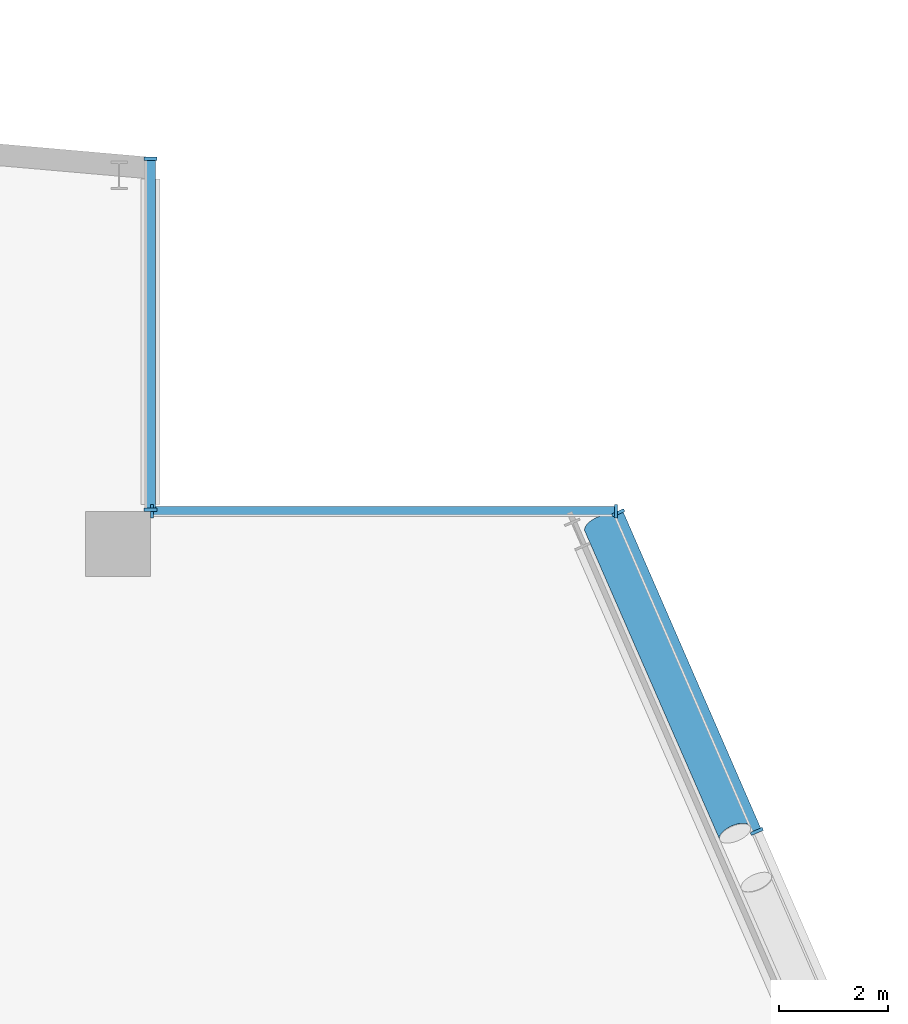
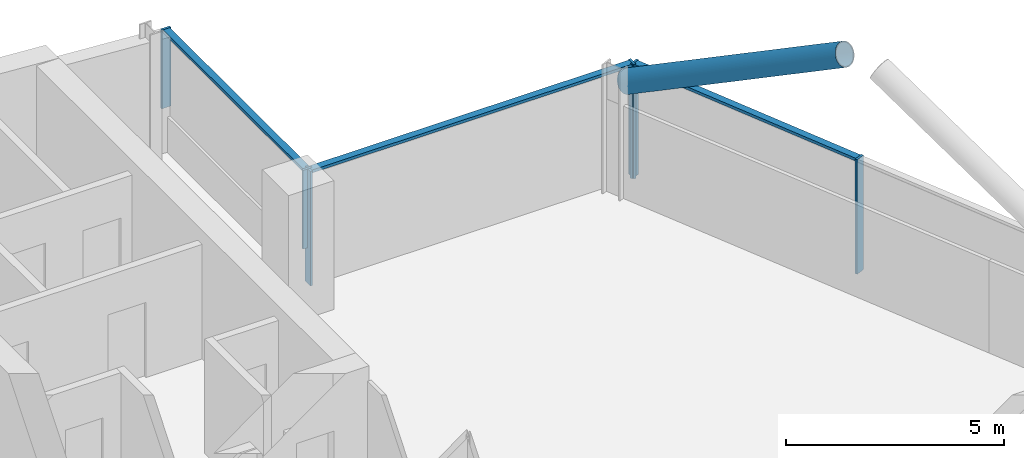
# One storey, part 11 of 25: 10 members, 3 elements without a shape of their own.
"""IFC4 building model written with IfcOpenShell, lengths in metres."""

from ifc_helpers import new_model, si_unit, direction, frame, origin, origin_2d, place, context, subcontext, project, spatial, rectangle, hollow_circle, extrude, material, material_profile, profile_set, type_object, element, aggregate, save


model = new_model("IFC4")

# Units and contexts
model_context = context("Model", 3, precision=1e-05, world=origin(), true_north=direction((0.0, 1.0)))
body_context = subcontext(model_context, "Body", "Model", "MODEL_VIEW")
ifc_project = project(units=[si_unit("LENGTHUNIT", "METRE"), si_unit("AREAUNIT", "SQUARE_METRE"), si_unit("VOLUMEUNIT", "CUBIC_METRE"), si_unit("PLANEANGLEUNIT", "RADIAN"), si_unit("MASSUNIT", "GRAM", prefix="KILO")], contexts=[model_context])

# Site, building, storey
site_placement = place(None, origin())
site = spatial("IfcSite", under=ifc_project, at=site_placement, CompositionType="ELEMENT")
building_placement = place(site_placement, origin())
building = spatial("IfcBuilding", under=site, at=building_placement, Name="Wharfspan Tower", CompositionType="ELEMENT")
storey_placement = place(building_placement, frame((0.0, 0.0, 239.5)))
storey = spatial("IfcBuildingStorey", under=building, at=storey_placement, Name="L60", CompositionType="ELEMENT", Elevation=239.5)

# Curtain wall, members
ifc_material_1 = material(Name="Aluminium 6063-T6", Category="aluminium")
curtain_wall_type = type_object("IfcCurtainWallType", Name="CURTAIN WALL PROW AND END", PredefinedType="NOTDEFINED", material=ifc_material_1)
curtain_wall_1_placement = place(storey_placement, origin())
curtain_wall_1 = element("IfcCurtainWall", 1, at=curtain_wall_1_placement, inside=storey, type_object=curtain_wall_type, Name="Curtain wall E", PredefinedType="NOTDEFINED")
ifc_material_profile_1 = material_profile(ifc_material_1, rectangle(XDim=0.23999, YDim=0.060059, at=origin_2d()))
ifc_profile_set_1 = profile_set([ifc_material_profile_1], Name="Aluminium 6063-T6")
member_type_1 = type_object("IfcMemberType", Name="MULLION PROW AND END 60x240", PredefinedType="MULLION", material=ifc_profile_set_1)
member_1_placement = place(storey_placement, frame((72.173828, 36.100098, 0.0), z_axis=(0.0, 0.0, 1.0), x_axis=(-0.917072, -0.398727, 0.0)))
member_1 = element("IfcMember", 2, at=member_1_placement, type_object=member_type_1, Name="Curtain wall E mullion 6", PredefinedType="MULLION", context=body_context, shape_type="SweptSolid", body=[
    extrude(rectangle(XDim=0.23999, YDim=0.060059, at=origin_2d()), origin(), (0.0, 0.0, 1.0), 3.199951),
])
member_2_placement = place(storey_placement, frame((69.620605, 41.972412, 0.0), z_axis=(0.0, 0.0, 1.0), x_axis=(-0.917072, -0.398727, 0.0)))
member_2 = element("IfcMember", 3, at=member_2_placement, type_object=member_type_1, Name="Curtain wall E mullion 7", PredefinedType="MULLION", context=body_context, shape_type="SweptSolid", body=[
    extrude(rectangle(XDim=0.23999, YDim=0.060059, at=origin_2d()), origin(), (0.0, 0.0, 1.0), 3.199951),
])

curtain_wall_2_placement = place(storey_placement, origin())
curtain_wall_2 = element("IfcCurtainWall", 4, at=curtain_wall_2_placement, inside=storey, type_object=curtain_wall_type, Name="Curtain wall NRE-H", PredefinedType="NOTDEFINED")
member_3_placement = place(storey_placement, frame((69.578613, 42.0, 0.0), z_axis=(0.0, 0.0, 1.0), x_axis=(0.0, -1.0, 0.0)))
member_3 = element("IfcMember", 5, at=member_3_placement, type_object=member_type_1, Name="Curtain wall NRE-H mullion 1", PredefinedType="MULLION", context=body_context, shape_type="SweptSolid", body=[
    extrude(rectangle(XDim=0.23999, YDim=0.060059, at=origin_2d()), origin(), (0.0, 0.0, 1.0), 3.199951),
])
member_4_placement = place(storey_placement, frame((61.030029, 42.0, 0.0), z_axis=(0.0, 0.0, 1.0), x_axis=(0.0, -1.0, 0.0)))
member_4 = element("IfcMember", 6, at=member_4_placement, type_object=member_type_1, Name="Curtain wall NRE-H mullion 2", PredefinedType="MULLION", context=body_context, shape_type="SweptSolid", body=[
    extrude(rectangle(XDim=0.23999, YDim=0.060059, at=origin_2d()), origin(), (0.0, 0.0, 1.0), 3.199951),
])

curtain_wall_3_placement = place(storey_placement, origin())
curtain_wall_3 = element("IfcCurtainWall", 7, at=curtain_wall_3_placement, inside=storey, type_object=curtain_wall_type, Name="Curtain wall NRE-V", PredefinedType="NOTDEFINED")
member_5_placement = place(storey_placement, frame((61.0, 42.030029, 1.0), z_axis=(0.0, 0.0, 1.0), x_axis=(-1.0, 0.0, 0.0)))
member_5 = element("IfcMember", 8, at=member_5_placement, type_object=member_type_1, Name="Curtain wall NRE-V mullion 1", PredefinedType="MULLION", context=body_context, shape_type="SweptSolid", body=[
    extrude(rectangle(XDim=0.23999, YDim=0.060059, at=origin_2d()), origin(), (0.0, 0.0, 1.0), 2.199951),
])
member_6_placement = place(storey_placement, frame((61.0, 48.494873, 1.0), z_axis=(0.0, 0.0, 1.0), x_axis=(-1.0, 0.0, 0.0)))
member_6 = element("IfcMember", 9, at=member_6_placement, type_object=member_type_1, Name="Curtain wall NRE-V mullion 2", PredefinedType="MULLION", context=body_context, shape_type="SweptSolid", body=[
    extrude(rectangle(XDim=0.23999, YDim=0.060059, at=origin_2d()), origin(), (0.0, 0.0, 1.0), 2.199951),
])

# Member
ifc_material_2 = material(Name="Steel S460NH", Category="steel")
ifc_material_profile_2 = material_profile(ifc_material_2, hollow_circle(Radius=0.304932, WallThickness=0.024902, at=origin_2d()))
ifc_profile_set_2 = profile_set([ifc_material_profile_2], Name="Steel S460NH")
member_type_2 = type_object("IfcMemberType", Name="Mega brace CHS 610x25", PredefinedType="BRACE", material=ifc_profile_set_2)
member_7_placement = place(storey_placement, frame((69.284424, 41.753662, 2.899902), z_axis=(0.352903, -0.807102, 0.473334), x_axis=(0.916243, 0.400624, -1e-06)))
element("IfcMember", 10, at=member_7_placement, inside=storey, type_object=member_type_2, Name="Mega brace E6 L61 part 3", PredefinedType="BRACE", context=body_context, shape_type="SweptSolid", body=[
    extrude(hollow_circle(Radius=0.304932, WallThickness=0.024902, at=origin_2d()), origin(), (0.0, 0.0, 1.0), 7.04248),
])

ifc_material_profile_3 = material_profile(ifc_material_1, rectangle(XDim=0.179932, YDim=0.080078, at=origin_2d()))
ifc_profile_set_3 = profile_set([ifc_material_profile_3], Name="Aluminium 6063-T6")
member_type_3 = type_object("IfcMemberType", Name="TRANSOM PROW AND END 80x180", PredefinedType="USERDEFINED", material=ifc_profile_set_3)
member_8_placement = place(storey_placement, frame((72.161865, 36.127441, 3.159912), z_axis=(-0.398712, 0.917076, 0.0), x_axis=(-0.917076, -0.398712, 0.0)))
member_8 = element("IfcMember", 11, at=member_8_placement, type_object=member_type_3, Name="Curtain wall E transom 6", ObjectType="TRANSOM", PredefinedType="USERDEFINED", context=body_context, shape_type="SweptSolid", body=[
    extrude(rectangle(XDim=0.179932, YDim=0.080078, at=origin_2d()), origin(), (0.0, 0.0, 1.0), 6.34375),
])

aggregate(curtain_wall_1, [member_1, member_2, member_8])

member_9_placement = place(storey_placement, frame((69.548584, 42.0, 3.159912), z_axis=(-1.0, 0.0, 0.0), x_axis=(0.0, -1.0, 0.0)))
member_9 = element("IfcMember", 12, at=member_9_placement, type_object=member_type_3, Name="Curtain wall NRE-H transom 1", ObjectType="TRANSOM", PredefinedType="USERDEFINED", context=body_context, shape_type="SweptSolid", body=[
    extrude(rectangle(XDim=0.179932, YDim=0.080078, at=origin_2d()), origin(), (0.0, 0.0, 1.0), 8.488525),
])

aggregate(curtain_wall_2, [member_3, member_4, member_9])

member_10_placement = place(storey_placement, frame((61.0, 42.060059, 3.159912), z_axis=(0.0, 1.0, 0.0), x_axis=(-1.0, 0.0, 0.0)))
member_10 = element("IfcMember", 13, at=member_10_placement, type_object=member_type_3, Name="Curtain wall NRE-V transom 1", ObjectType="TRANSOM", PredefinedType="USERDEFINED", context=body_context, shape_type="SweptSolid", body=[
    extrude(rectangle(XDim=0.179932, YDim=0.080078, at=origin_2d()), origin(), (0.0, 0.0, 1.0), 6.404785),
])

aggregate(curtain_wall_3, [member_5, member_6, member_10])

save(model, "model.ifc")
